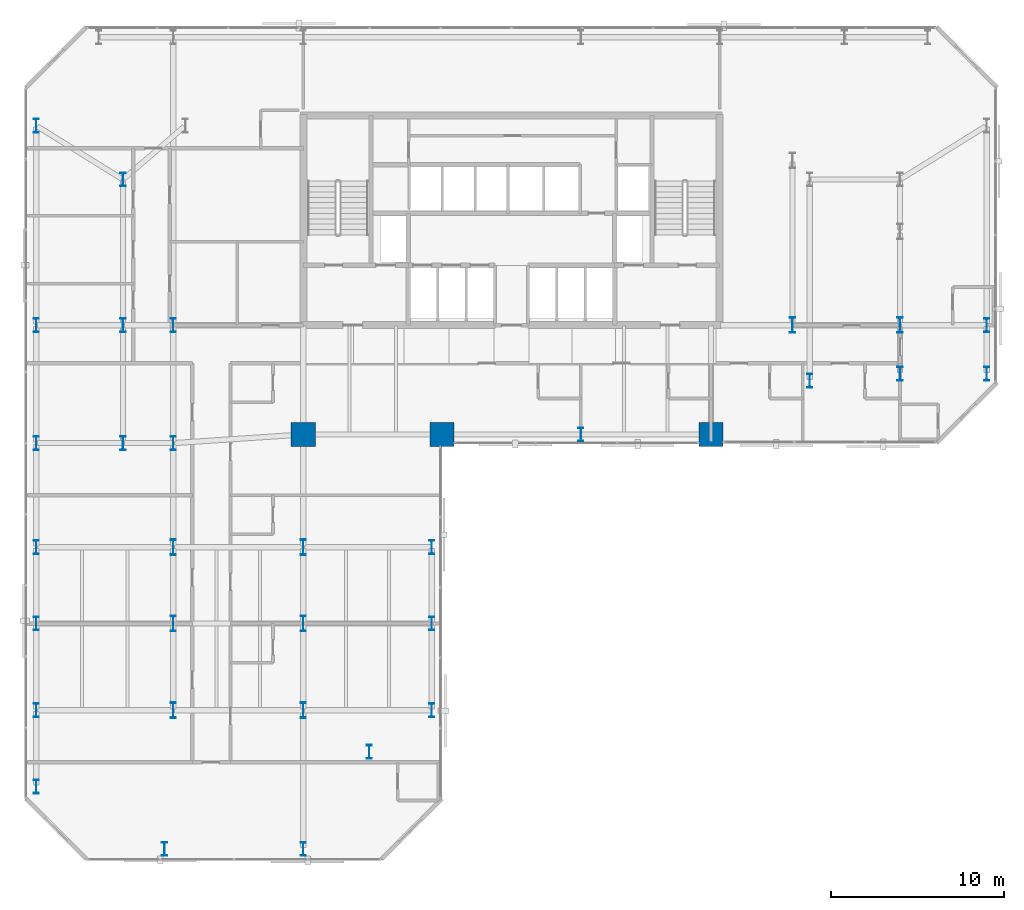
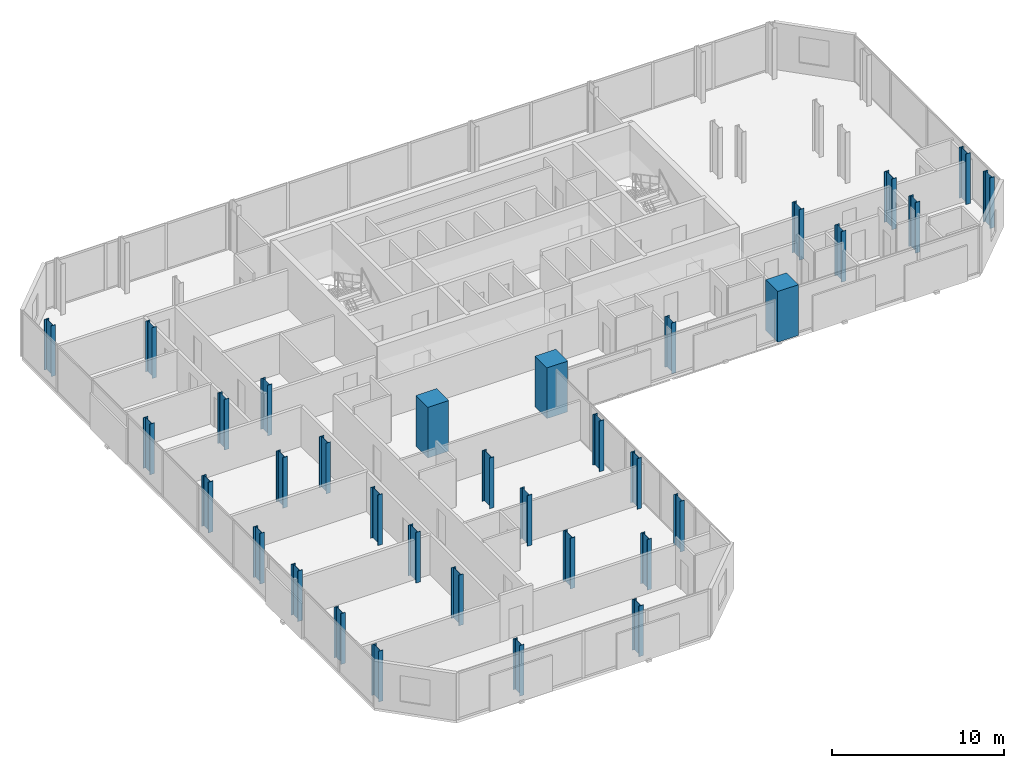
# One storey, part 1 of 33: 34 columns.
"""IFC4 building model written with IfcOpenShell, lengths in metres."""

from ifc_helpers import new_model, si_unit, direction, frame, origin, origin_2d, place, context, subcontext, project, spatial, rectangle, i_section, extrude, material, material_profile, profile_set, type_object, element, save


model = new_model("IFC4")

# Units and contexts
model_context = context("Model", 3, precision=1e-05, world=origin(), true_north=direction((0.0, 1.0)))
body_context = subcontext(model_context, "Body", "Model", "MODEL_VIEW")
ifc_project = project(units=[si_unit("LENGTHUNIT", "METRE"), si_unit("AREAUNIT", "SQUARE_METRE"), si_unit("VOLUMEUNIT", "CUBIC_METRE"), si_unit("PLANEANGLEUNIT", "RADIAN"), si_unit("MASSUNIT", "GRAM", prefix="KILO")], contexts=[model_context])

# Site, building, storey
site_placement = place(None, origin())
site = spatial("IfcSite", under=ifc_project, at=site_placement, CompositionType="ELEMENT")
building_placement = place(site_placement, origin())
building = spatial("IfcBuilding", under=site, at=building_placement, Name="Catumbela Crestline Tower", CompositionType="ELEMENT")
storey_placement = place(building_placement, frame((0.0, 0.0, 58.2)))
storey = spatial("IfcBuildingStorey", under=building, at=storey_placement, Name="L14", CompositionType="ELEMENT", Elevation=58.2)

# Columns
ifc_material_1 = material(Name="Concrete C60/75", Category="concrete")
ifc_material_profile_1 = material_profile(ifc_material_1, rectangle(XDim=1.4, YDim=1.4, at=origin_2d()), Name="RC 1400x1400")
ifc_profile_set_1 = profile_set([ifc_material_profile_1], Name="Concrete C60/75")
column_type_1 = type_object("IfcColumnType", Name="C-RC1400-C60", PredefinedType="COLUMN", material=ifc_profile_set_1)
for number, where, z_axis, x_axis, name in (
    (1, (16.0, 24.5, 0.0), (0.0, 0.0, 1.0), (1.0, 0.0, 0.0), "L14 Column C-16-24 (RC 1400x1400)"),
    (2, (24.0, 24.5, 0.0), (0.0, 0.0, 1.0), (1.0, 0.0, 0.0), "L14 Column C-24-24 (RC 1400x1400)"),
    (3, (39.5, 24.5, 0.0), (0.0, 0.0, 1.0), (1.0, 0.0, 0.0), "L14 Column C-40-24 (RC 1400x1400)"),
):
    element("IfcColumn", number, at=place(storey_placement, frame(where, z_axis=z_axis, x_axis=x_axis)), inside=storey, type_object=column_type_1, Name=name, PredefinedType="COLUMN", context=body_context, shape_type="SweptSolid", body=[
        extrude(rectangle(XDim=1.4, YDim=1.4, at=origin_2d()), origin(), (0.0, 0.0, 1.0), 3.6),
    ])
ifc_material_2 = material(Name="Structural steel S460M", Category="steel")
ifc_material_profile_2 = material_profile(ifc_material_2, i_section(OverallWidth=0.3, OverallDepth=0.8, WebThickness=0.0175, FlangeThickness=0.033, FilletRadius=0.03, at=origin_2d()), Name="HEB 800")
ifc_profile_set_2 = profile_set([ifc_material_profile_2], Name="Structural steel S460M")
column_type_2 = type_object("IfcColumnType", Name="C-ST-HEB800", PredefinedType="COLUMN", material=ifc_profile_set_2)
for number, where, z_axis, x_axis, name in (
    (4, (8.5, 24.0, 0.0), (0.0, 0.0, 1.0), (1.0, 0.0, 0.0), "L14 Column C-08-24 (HEB 800)"),
    (5, (32.0, 24.5, 0.0), (0.0, 0.0, 1.0), (1.0, 0.0, 0.0), "L14 Column C-32-24 (HEB 800)"),
    (6, (5.6, 24.0, 0.0), (0.0, 0.0, 1.0), (1.0, 0.0, 0.0), "L14 Column C-05-24 (HEB 800)"),
    (7, (5.6, 30.8, 0.0), (0.0, 0.0, 1.0), (1.0, 0.0, 0.0), "L14 Column C-05-31 (HEB 800)"),
    (8, (5.6, 39.2, 0.0), (0.0, 0.0, 1.0), (1.0, 0.0, 0.0), "L14 Column C-05-43 (HEB 800)"),
    (9, (8.5, 30.8, 0.0), (0.0, 0.0, 1.0), (1.0, 0.0, 0.0), "L14 Column C-08-31 (HEB 800)"),
    (10, (45.2, 27.6, 0.0), (0.0, 0.0, 1.0), (1.0, 0.0, 0.0), "L14 Column C-46-24 (HEB 800)"),
    (11, (0.6, 24.0, 0.0), (0.0, 0.0, 1.0), (1.0, 0.0, 0.0), "L14 Column C-00-24 (HEB 800)"),
    (12, (0.6, 30.8, 0.0), (0.0, 0.0, 1.0), (1.0, 0.0, 0.0), "L14 Column C-00-31 (HEB 800)"),
    (13, (0.6, 42.3, 0.0), (0.0, 0.0, 1.0), (1.0, 0.0, 0.0), "L14 Column C-00-43 (HEB 800)"),
    (14, (50.4, 28.0, 0.0), (0.0, 0.0, 1.0), (1.0, 0.0, 0.0), "L14 Column C-51-24 (HEB 800)"),
    (15, (55.4, 28.0, 0.0), (0.0, 0.0, 1.0), (1.0, 0.0, 0.0), "L14 Column C-56-24 (HEB 800)"),
    (16, (55.4, 30.8, 0.0), (0.0, 0.0, 1.0), (1.0, 0.0, 0.0), "L14 Column C-56-31 (HEB 800)"),
    (17, (0.6, 8.6, 0.0), (0.0, 0.0, 1.0), (1.0, 0.0, 0.0), "L14 Column C-00-05 (HEB 800)"),
    (18, (0.6, 13.6, 0.0), (0.0, 0.0, 1.0), (1.0, 0.0, 0.0), "L14 Column C-00-10 (HEB 800)"),
    (19, (0.6, 18.0, 0.0), (0.0, 0.0, 1.0), (1.0, 0.0, 0.0), "L14 Column C-00-16 (HEB 800)"),
    (20, (0.6, 4.2, 0.0), (0.0, 0.0, 1.0), (1.0, 0.0, 0.0), "L14 Column C-00-03 (HEB 800)"),
    (21, (8.0, 0.6, 0.0), (0.0, 0.0, 1.0), (1.0, 0.0, 0.0), "L14 Column C-08-00 (HEB 800)"),
    (22, (16.0, 0.6, 0.0), (0.0, 0.0, 1.0), (1.0, 0.0, 0.0), "L14 Column C-16-00 (HEB 800)"),
    (23, (19.8, 6.2, 0.0), (0.0, 0.0, 1.0), (1.0, 0.0, 0.0), "L14 Column C-24-05 (HEB 800)"),
    (24, (23.4, 8.6, 0.0), (0.0, 0.0, 1.0), (1.0, 0.0, 0.0), "L14 Column C-23-08 (HEB 800)"),
    (25, (23.4, 13.6, 0.0), (0.0, 0.0, 1.0), (1.0, 0.0, 0.0), "L14 Column C-24-10 (HEB 800)"),
    (26, (23.4, 18.0, 0.0), (0.0, 0.0, 1.0), (1.0, 0.0, 0.0), "L14 Column C-24-16 (HEB 800)"),
):
    element("IfcColumn", number, at=place(storey_placement, frame(where, z_axis=z_axis, x_axis=x_axis)), inside=storey, type_object=column_type_2, Name=name, PredefinedType="COLUMN", context=body_context, shape_type="SweptSolid", body=[
        extrude(i_section(OverallWidth=0.3, OverallDepth=0.8, WebThickness=0.0175, FlangeThickness=0.033, FilletRadius=0.03, at=origin_2d()), origin(), (0.0, 0.0, 1.0), 3.6),
    ])
ifc_material_profile_3 = material_profile(ifc_material_2, i_section(OverallWidth=0.3, OverallDepth=0.9, WebThickness=0.0185, FlangeThickness=0.035, FilletRadius=0.03, at=origin_2d()), Name="HEB 900")
ifc_profile_set_3 = profile_set([ifc_material_profile_3], Name="Structural steel S460M")
column_type_3 = type_object("IfcColumnType", Name="C-ST-HEB900", PredefinedType="COLUMN", material=ifc_profile_set_3)
for number, where, z_axis, x_axis, name in (
    (27, (8.5, 8.6, 0.0), (0.0, 0.0, 1.0), (1.0, 0.0, 0.0), "L14 Column CT-05-05 (HEB 900)"),
    (28, (16.0, 8.6, 0.0), (0.0, 0.0, 1.0), (1.0, 0.0, 0.0), "L14 Column CT-14-05 (HEB 900)"),
    (29, (8.5, 13.6, 0.0), (0.0, 0.0, 1.0), (1.0, 0.0, 0.0), "L14 Column CT-05-10 (HEB 900)"),
    (30, (16.0, 13.6, 0.0), (0.0, 0.0, 1.0), (1.0, 0.0, 0.0), "L14 Column CT-14-10 (HEB 900)"),
    (31, (8.5, 18.0, 0.0), (0.0, 0.0, 1.0), (1.0, 0.0, 0.0), "L14 Column CT-05-16 (HEB 900)"),
    (32, (16.0, 18.0, 0.0), (0.0, 0.0, 1.0), (1.0, 0.0, 0.0), "L14 Column CT-14-16 (HEB 900)"),
    (33, (44.2, 30.8, 0.0), (0.0, 0.0, 1.0), (1.0, 0.0, 0.0), "L14 Column CT-46-31 (HEB 900)"),
    (34, (50.4, 30.8, 0.0), (0.0, 0.0, 1.0), (1.0, 0.0, 0.0), "L14 Column CT-51-31 (HEB 900)"),
):
    element("IfcColumn", number, at=place(storey_placement, frame(where, z_axis=z_axis, x_axis=x_axis)), inside=storey, type_object=column_type_3, Name=name, PredefinedType="COLUMN", context=body_context, shape_type="SweptSolid", body=[
        extrude(i_section(OverallWidth=0.3, OverallDepth=0.9, WebThickness=0.0185, FlangeThickness=0.035, FilletRadius=0.03, at=origin_2d()), origin(), (0.0, 0.0, 1.0), 3.6),
    ])

save(model, "model.ifc")
